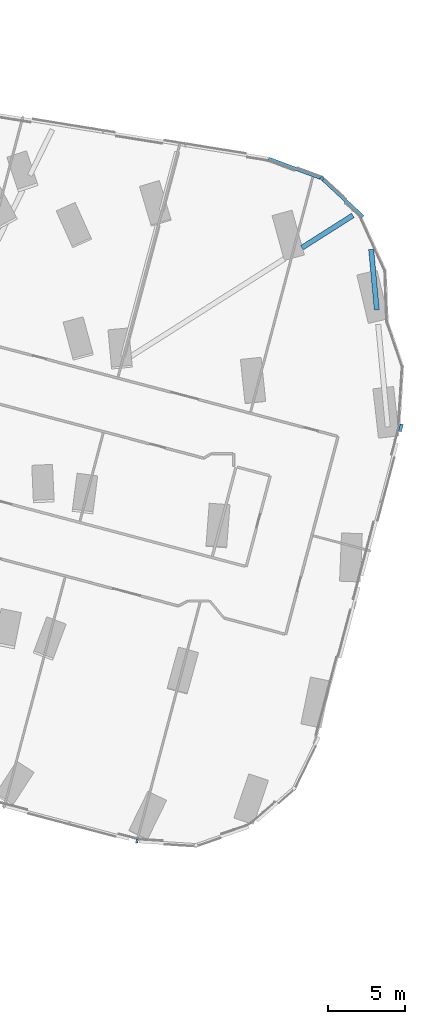
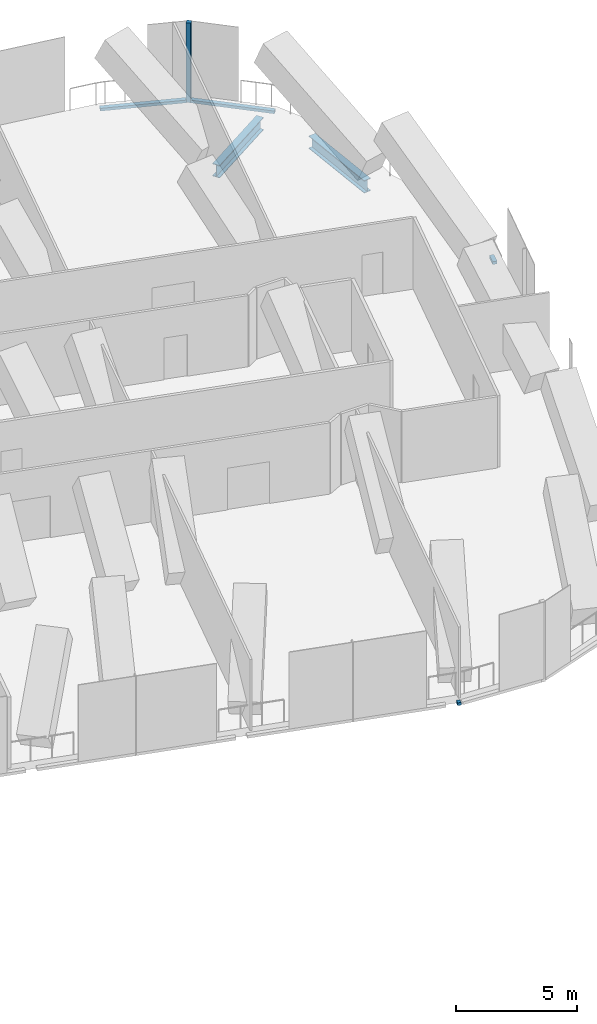
# One storey, part 17 of 37: 5 members, 2 beams, 4 elements without a shape of their own.
"""IFC4 building model written with IfcOpenShell, lengths in metres."""

from ifc_helpers import new_model, si_unit, direction, frame, origin, origin_2d, place, context, subcontext, project, spatial, rectangle, i_section, extrude, material, material_profile, profile_set, type_object, element, aggregate, save


model = new_model("IFC4")

# Units and contexts
model_context = context("Model", 3, precision=1e-05, world=origin(), true_north=direction((0.0, 1.0)))
body_context = subcontext(model_context, "Body", "Model", "MODEL_VIEW")
ifc_project = project(units=[si_unit("LENGTHUNIT", "METRE"), si_unit("AREAUNIT", "SQUARE_METRE"), si_unit("VOLUMEUNIT", "CUBIC_METRE"), si_unit("PLANEANGLEUNIT", "RADIAN"), si_unit("MASSUNIT", "GRAM", prefix="KILO")], contexts=[model_context])

# Site, building, storey
site_placement = place(None, origin())
site = spatial("IfcSite", under=ifc_project, at=site_placement, CompositionType="ELEMENT")
building_placement = place(site_placement, origin())
building = spatial("IfcBuilding", under=site, at=building_placement, Name="Orlundy Tower", CompositionType="ELEMENT")
storey_placement = place(building_placement, frame((0.0, 0.0, 119.699951171875)))
storey = spatial("IfcBuildingStorey", under=building, at=storey_placement, Name="L30", CompositionType="ELEMENT", Elevation=119.699951171875)

# Beams
ifc_material_1 = material(Name="Steel ASTM A992 Gr 50", Category="steel")
ifc_material_profile_1 = material_profile(ifc_material_1, i_section(OverallWidth=0.3291015625, OverallDepth=0.635009765625, WebThickness=0.017822265625, FlangeThickness=0.031005859375, at=origin_2d()), Name="W24X162")
ifc_profile_set_1 = profile_set([ifc_material_profile_1], Name="Steel ASTM A992 Gr 50")
beam_type = type_object("IfcBeamType", Name="CANTILEVER GIRDER beam W24X162", PredefinedType="BEAM", material=ifc_profile_set_1)
beam_1_placement = place(storey_placement, frame((58.079833984375, 8.17578125, -0.717529296875), z_axis=(-0.844182779127, -0.536055440627, 0.0), x_axis=(0.536055440627, -0.844182779127, 0.0)))
element("IfcBeam", 1, at=beam_1_placement, inside=storey, type_object=beam_type, Name="Cantilever girder C-A5-3 L30", PredefinedType="BEAM", context=body_context, shape_type="SweptSolid", body=[
    extrude(i_section(OverallWidth=0.3291015625, OverallDepth=0.635009765625, WebThickness=0.017822265625, FlangeThickness=0.031005859375, at=origin_2d()), origin(), (0.0, 0.0, 1.0), 3.911865234375),
])
beam_2_placement = place(storey_placement, frame((59.27099609375, 5.968994140625, -0.717529296875), z_axis=(0.093143498115, -0.995652694848, 0.0), x_axis=(0.995652694848, 0.093143498115, 0.0)))
element("IfcBeam", 2, at=beam_2_placement, inside=storey, type_object=beam_type, Name="Cantilever girder C-A5-5 L30", PredefinedType="BEAM", context=body_context, shape_type="SweptSolid", body=[
    extrude(i_section(OverallWidth=0.3291015625, OverallDepth=0.635009765625, WebThickness=0.017822265625, FlangeThickness=0.031005859375, at=origin_2d()), origin(), (0.0, 0.0, 1.0), 3.949951171875),
])

# Curtain wall, member
ifc_material_2 = material(Name="Aluminium bronze anodised", Category="aluminium")
curtain_wall_type = type_object("IfcCurtainWallType", Name="CW5 wall", PredefinedType="NOTDEFINED", material=ifc_material_2)
curtain_wall_1_placement = place(storey_placement, origin())
curtain_wall_1 = element("IfcCurtainWall", 3, at=curtain_wall_1_placement, inside=storey, type_object=curtain_wall_type, Name="CW5 run 017", PredefinedType="NOTDEFINED")
ifc_material_3 = material(Name="Aluminium bronze anodised", Category="aluminium")
ifc_material_profile_2 = material_profile(ifc_material_3, rectangle(XDim=0.199951171875, YDim=0.199951171875, at=origin_2d()), Name="CW5 corner post 200x200")
ifc_profile_set_2 = profile_set([ifc_material_profile_2], Name="Aluminium bronze anodised")
member_type_1 = type_object("IfcMemberType", Name="CW5 corner post 200x200", PredefinedType="MULLION", material=ifc_profile_set_2)
member_1_placement = place(storey_placement, frame((56.074462890625, 10.57275390625, -0.39990234375), z_axis=(0.0, 0.0, 1.0), x_axis=(0.680875211262, 0.732399444763, 0.0)))
member_1 = element("IfcMember", 4, at=member_1_placement, type_object=member_type_1, Name="CW5 mullion 29", PredefinedType="MULLION", context=body_context, shape_type="SweptSolid", body=[
    extrude(rectangle(XDim=0.199951171875, YDim=0.199951171875, at=origin_2d()), origin(), (0.0, 0.0, 1.0), 4.0),
])

curtain_wall_2_placement = place(storey_placement, origin())
curtain_wall_2 = element("IfcCurtainWall", 5, at=curtain_wall_2_placement, inside=storey, type_object=curtain_wall_type, Name="CW5 run 016", PredefinedType="NOTDEFINED")
ifc_material_4 = material(Name="Aluminium bronze anodised", Category="aluminium")
ifc_material_profile_3 = material_profile(ifc_material_4, rectangle(XDim=0.199951171875, YDim=0.139892578125, at=origin_2d()), Name="CW5 transom 200x140")
ifc_profile_set_3 = profile_set([ifc_material_profile_3], Name="Aluminium bronze anodised")
member_type_2 = type_object("IfcMemberType", Name="CW5 transom 200x140", PredefinedType="USERDEFINED", material=ifc_profile_set_3)
member_2_placement = place(storey_placement, frame((52.59716796875, 11.867431640625, -0.329833984375), z_axis=(0.937162081341, -0.348894301037, 0.0), x_axis=(0.348894301037, 0.937162081341, 0.0)))
member_2 = element("IfcMember", 6, at=member_2_placement, type_object=member_type_2, Name="CW5 transom", ObjectType="TRANSOM", PredefinedType="USERDEFINED", context=body_context, shape_type="SweptSolid", body=[
    extrude(rectangle(XDim=0.199951171875, YDim=0.139892578125, at=origin_2d()), origin(), (0.0, 0.0, 1.0), 3.602294921875),
])
aggregate(curtain_wall_2, [member_2])

# Member
member_3_placement = place(storey_placement, frame((56.147705078125, 10.504638671875, -0.329833984375), z_axis=(0.732439538753, -0.680832080672, 0.0), x_axis=(0.680832080672, 0.732439538753, 0.0)))
member_3 = element("IfcMember", 7, at=member_3_placement, type_object=member_type_2, Name="CW5 transom", ObjectType="TRANSOM", PredefinedType="USERDEFINED", context=body_context, shape_type="SweptSolid", body=[
    extrude(rectangle(XDim=0.199951171875, YDim=0.139892578125, at=origin_2d()), origin(), (0.0, 0.0, 1.0), 3.53857421875),
])

aggregate(curtain_wall_1, [member_1, member_3])

# Curtain wall, member
curtain_wall_3_placement = place(storey_placement, origin())
curtain_wall_3 = element("IfcCurtainWall", 8, at=curtain_wall_3_placement, inside=storey, type_object=curtain_wall_type, Name="CW5 run 022", PredefinedType="NOTDEFINED")
member_4_placement = place(storey_placement, frame((61.2646484375, -5.37841796875, -0.329833984375), z_axis=(-0.25586566658, -0.966712346391, 0.0), x_axis=(0.966712346391, -0.25586566658, 0.0)))
member_4 = element("IfcMember", 9, at=member_4_placement, type_object=member_type_2, Name="CW5 transom", ObjectType="TRANSOM", PredefinedType="USERDEFINED", context=body_context, shape_type="SweptSolid", body=[
    extrude(rectangle(XDim=0.199951171875, YDim=0.139892578125, at=origin_2d()), origin(), (0.0, 0.0, 1.0), 0.4990234375),
])
aggregate(curtain_wall_3, [member_4])

curtain_wall_4_placement = place(storey_placement, origin())
curtain_wall_4 = element("IfcCurtainWall", 10, at=curtain_wall_4_placement, inside=storey, type_object=curtain_wall_type, Name="CW5 run 027", PredefinedType="NOTDEFINED")
member_5_placement = place(storey_placement, frame((44.1396484375, -32.482666015625, -0.329833984375), z_axis=(-0.967013406557, 0.254725482703, 0.0), x_axis=(-0.254725482703, -0.967013406557, 0.0)))
member_5 = element("IfcMember", 11, at=member_5_placement, type_object=member_type_2, Name="CW5 transom", ObjectType="TRANSOM", PredefinedType="USERDEFINED", context=body_context, shape_type="SweptSolid", body=[
    extrude(rectangle(XDim=0.199951171875, YDim=0.139892578125, at=origin_2d()), origin(), (0.0, 0.0, 1.0), 0.1552734375),
])
aggregate(curtain_wall_4, [member_5])

save(model, "model.ifc")
